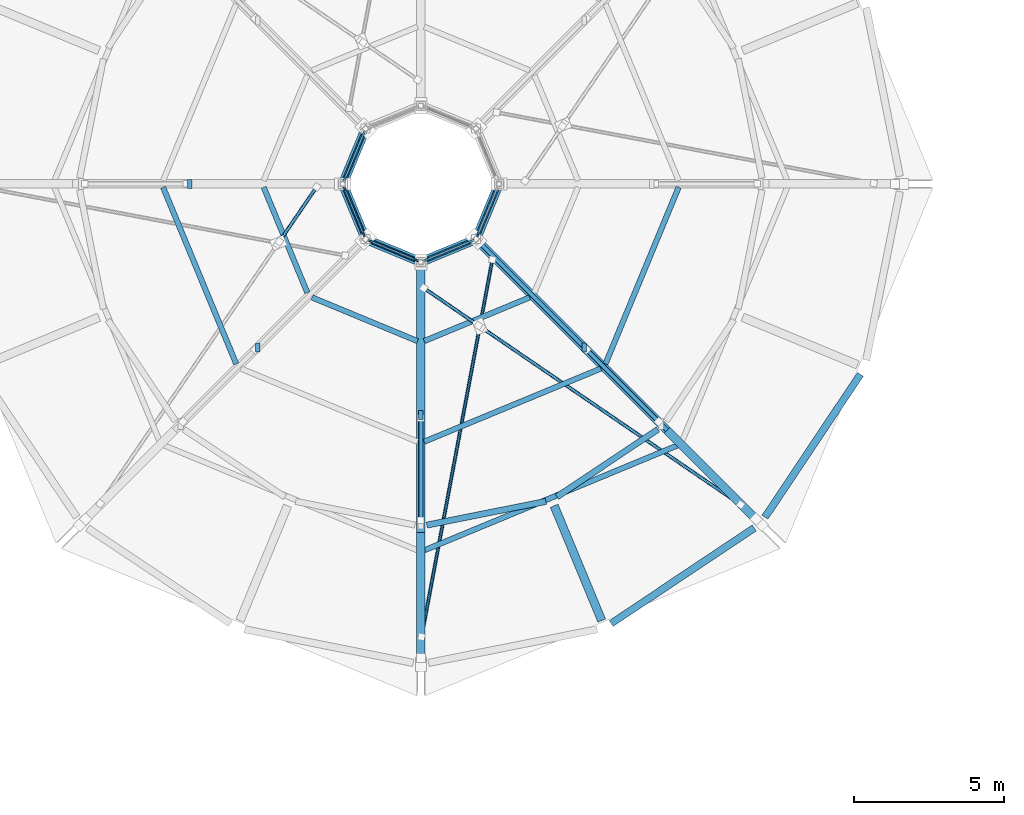
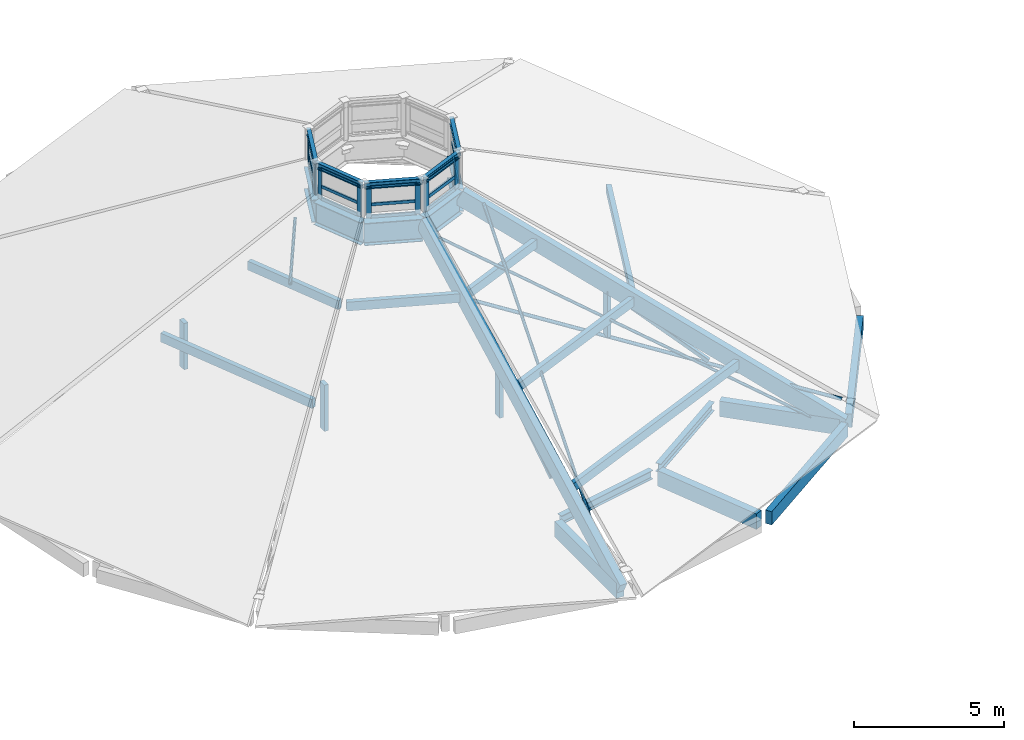
# One storey, part 31 of 66: 43 members, 17 beams, 5 elements without a shape of their own.
"""IFC4 building model written with IfcOpenShell, lengths in metres."""

from ifc_helpers import new_model, si_unit, direction, frame, origin, origin_2d, place, context, subcontext, project, spatial, rectangle, hollow_rectangle, hollow_circle, i_section, extrude, material, layer, layer_set, material_profile, profile_set, type_object, element, aggregate, save


model = new_model("IFC4")

# Units and contexts
model_context = context("Model", 3, precision=1e-05, world=origin(), true_north=direction((0.0, 1.0)))
body_context = subcontext(model_context, "Body", "Model", "MODEL_VIEW")
ifc_project = project(units=[si_unit("LENGTHUNIT", "METRE"), si_unit("AREAUNIT", "SQUARE_METRE"), si_unit("VOLUMEUNIT", "CUBIC_METRE"), si_unit("PLANEANGLEUNIT", "RADIAN"), si_unit("MASSUNIT", "GRAM", prefix="KILO")], contexts=[model_context])

# Site, building, storey
site_placement = place(None, origin())
site = spatial("IfcSite", under=ifc_project, at=site_placement, CompositionType="ELEMENT")
building_placement = place(site_placement, origin())
building = spatial("IfcBuilding", under=site, at=building_placement, Name="Caldaven Crescent School", CompositionType="ELEMENT")
storey_placement = place(building_placement, frame((0.0, 0.0, 8.159912109375)))
storey = spatial("IfcBuildingStorey", under=building, at=storey_placement, Name="L02", CompositionType="ELEMENT", Elevation=8.159912109375)

# Beams
ifc_material_1 = material(Name="Glulam MLE24h (GL28h)", Category="wood")
ifc_material_profile_1 = material_profile(ifc_material_1, rectangle(XDim=0.280029296875, YDim=0.6298828125, at=origin_2d()), Name="MLE 280x630")
ifc_profile_set_1 = profile_set([ifc_material_profile_1], Name="Glulam MLE24h (GL28h)")
beam_type_1 = type_object("IfcBeamType", Name="BM-GL63", PredefinedType="BEAM", material=ifc_profile_set_1)
for number, where, z_axis, x_axis, name in (
    (1, (23.5, 86.89990234375, -0.534912109375), (0.0, -1.0, 0.0), (1.0, 0.0, 0.0), "BM-V2-L02-0385"),
    (2, (27.939208984375, 87.782958984375, -0.534912109375), (0.382679925467, -0.923880985108, 0.0), (0.923880985108, 0.382679925467, 0.0), "BM-V2-L02-0388"),
):
    element("IfcBeam", number, at=place(storey_placement, frame(where, z_axis=z_axis, x_axis=x_axis)), inside=storey, type_object=beam_type_1, Name=name, PredefinedType="BEAM", context=body_context, shape_type="SweptSolid", body=[
        extrude(rectangle(XDim=0.280029296875, YDim=0.6298828125, at=origin_2d()), origin(), (0.0, 0.0, 1.0), 4.139892578125),
    ])
beam_1_placement = place(storey_placement, frame((31.702392578125, 90.297607421875, -0.534912109375), z_axis=(0.707106781187, -0.707106781187, 0.0), x_axis=(0.707106781187, 0.707106781187, 0.0)))
element("IfcBeam", 3, at=beam_1_placement, inside=storey, type_object=beam_type_1, Name="BM-V2-L02-0391", PredefinedType="BEAM", context=body_context, shape_type="SweptSolid", body=[
    extrude(rectangle(XDim=0.280029296875, YDim=0.6298828125, at=origin_2d()), origin(), (0.0, 0.0, 1.0), 4.14013671875),
])
ifc_material_2 = material(Name="Steel ASTM A572 Grade 50", Category="steel")
ifc_material_profile_2 = material_profile(ifc_material_2, i_section(OverallWidth=0.14599609375, OverallDepth=0.258056640625, WebThickness=0.006103515625, FlangeThickness=0.009033203125, FilletRadius=0.011962890625, at=origin_2d()), Name="W250x33")
ifc_profile_set_2 = profile_set([ifc_material_profile_2], Name="Steel ASTM A572 Grade 50")
beam_type_2 = type_object("IfcBeamType", Name="BM-W25", PredefinedType="BEAM", material=ifc_profile_set_2)
for number, where, z_axis, x_axis, name in (
    (4, (21.65380859375, 100.320068359375, 8.12109375), (-0.382631933277, -0.923900862451, 0.0), (0.923900862451, -0.382631933277, 0.0), "LRNG-V2-L02-0404"),
    (5, (20.90771484375, 98.4814453125, 8.12109375), (0.382631933277, -0.923900862451, 0.0), (0.923900862451, 0.382631933277, 0.0), "LRNG-V2-L02-0406"),
    (6, (21.679931640625, 96.65380859375, 8.12109375), (0.923900862451, -0.382631933277, 0.0), (0.382631933277, 0.923900862451, 0.0), "LRNG-V2-L02-0408"),
    (7, (23.5185546875, 95.90771484375, 8.12109375), (0.923900862451, 0.382631933277, 0.0), (-0.382631933277, 0.923900862451, 0.0), "LRNG-V2-L02-0410"),
    (8, (25.34619140625, 96.679931640625, 8.12109375), (0.382631933277, 0.923900862451, 0.0), (-0.923900862451, 0.382631933277, 0.0), "LRNG-V2-L02-0412"),
):
    element("IfcBeam", number, at=place(storey_placement, frame(where, z_axis=z_axis, x_axis=x_axis)), inside=storey, type_object=beam_type_2, Name=name, PredefinedType="BEAM", context=body_context, shape_type="SweptSolid", body=[
        extrude(i_section(OverallWidth=0.14599609375, OverallDepth=0.258056640625, WebThickness=0.006103515625, FlangeThickness=0.009033203125, FilletRadius=0.011962890625, at=origin_2d()), origin(), (0.0, 0.0, 1.0), 1.949951171875),
    ])
ifc_material_profile_3 = material_profile(ifc_material_2, i_section(OverallWidth=0.205078125, OverallDepth=0.35400390625, WebThickness=0.009521484375, FlangeThickness=0.016845703125, FilletRadius=0.014892578125, at=origin_2d()), Name="W360x79")
ifc_profile_set_3 = profile_set([ifc_material_profile_3], Name="Steel ASTM A572 Grade 50")
beam_type_3 = type_object("IfcBeamType", Name="BM-W36", PredefinedType="BEAM", material=ifc_profile_set_3)
beam_2_placement = place(storey_placement, frame((23.696044921875, 87.138916015625, -0.39697265625), z_axis=(0.980784262971, 0.195095436925, 0.0), x_axis=(-0.195095436925, 0.980784262971, 0.0)))
element("IfcBeam", 9, at=beam_2_placement, inside=storey, type_object=beam_type_3, Name="BM-V2-L02-0386", PredefinedType="BEAM", context=body_context, shape_type="SweptSolid", body=[
    extrude(i_section(OverallWidth=0.205078125, OverallDepth=0.35400390625, WebThickness=0.009521484375, FlangeThickness=0.016845703125, FilletRadius=0.014892578125, at=origin_2d()), origin(), (0.0, 0.0, 1.0), 4.04833984375),
])
beam_3_placement = place(storey_placement, frame((28.02880859375, 88.078857421875, -0.39697265625), z_axis=(0.831474595704, 0.55556277476, 0.0), x_axis=(-0.55556277476, 0.831474595704, 0.0)))
element("IfcBeam", 10, at=beam_3_placement, inside=storey, type_object=beam_type_3, Name="BM-V2-L02-0389", PredefinedType="BEAM", context=body_context, shape_type="SweptSolid", body=[
    extrude(i_section(OverallWidth=0.205078125, OverallDepth=0.35400390625, WebThickness=0.009521484375, FlangeThickness=0.016845703125, FilletRadius=0.014892578125, at=origin_2d()), origin(), (0.0, 0.0, 1.0), 4.048095703125),
])
ifc_material_profile_4 = material_profile(ifc_material_2, i_section(OverallWidth=0.303955078125, OverallDepth=0.910888671875, WebThickness=0.015869140625, FlangeThickness=0.02392578125, FilletRadius=0.02197265625, at=origin_2d()), Name="W920x223")
ifc_profile_set_4 = profile_set([ifc_material_profile_4], Name="Steel ASTM A572 Grade 50")
beam_type_4 = type_object("IfcBeamType", Name="BM-W92", PredefinedType="BEAM", material=ifc_profile_set_4)
for number, where, z_axis, x_axis, name in (
    (11, (21.65771484375, 100.329345703125, 6.20458984375), (-0.382687440576, -0.923877872246, 0.0), (0.923877872246, -0.382687440576, 0.0), "RING-V2-L02-0403"),
    (12, (20.90380859375, 98.49072265625, 6.20458984375), (0.382687440576, -0.923877872246, 0.0), (0.923877872246, 0.382687440576, 0.0), "RING-V2-L02-0405"),
    (13, (21.670654296875, 96.65771484375, 6.20458984375), (0.923877872246, -0.382687440576, 0.0), (0.382687440576, 0.923877872246, 0.0), "RING-V2-L02-0407"),
    (14, (23.50927734375, 95.90380859375, 6.20458984375), (0.923877872246, 0.382687440576, 0.0), (-0.382687440576, 0.923877872246, 0.0), "RING-V2-L02-0409"),
    (15, (25.34228515625, 96.670654296875, 6.20458984375), (0.382687440576, 0.923877872246, 0.0), (-0.923877872246, 0.382687440576, 0.0), "RING-V2-L02-0411"),
):
    element("IfcBeam", number, at=place(storey_placement, frame(where, z_axis=z_axis, x_axis=x_axis)), inside=storey, type_object=beam_type_4, Name=name, PredefinedType="BEAM", context=body_context, shape_type="SweptSolid", body=[
        extrude(i_section(OverallWidth=0.303955078125, OverallDepth=0.910888671875, WebThickness=0.015869140625, FlangeThickness=0.02392578125, FilletRadius=0.02197265625, at=origin_2d()), origin(), (0.0, 0.0, 1.0), 1.969970703125),
    ])

# Members
ifc_material_profile_5 = material_profile(ifc_material_2, hollow_circle(Radius=0.05712890625, WallThickness=0.008056640625, at=origin_2d()), Name="CHS 114.3x8.0")
ifc_profile_set_5 = profile_set([ifc_material_profile_5], Name="Steel ASTM A572 Grade 50")
member_type_1 = type_object("IfcMemberType", Name="BR-CH11", PredefinedType="BRACE", material=ifc_profile_set_5)
member_1_placement = place(storey_placement, frame((18.7890625, 96.582763671875, 5.14208984375), z_axis=(0.498106201549, 0.728446028426, 0.470379204099), x_axis=(-0.825467899291, 0.564449065231, 0.0)))
element("IfcMember", 16, at=member_1_placement, inside=storey, type_object=member_type_1, Name="RBR-V2-04-X2B", PredefinedType="BRACE", context=body_context, shape_type="SweptSolid", body=[
    extrude(hollow_circle(Radius=0.05712890625, WallThickness=0.008056640625, at=origin_2d()), origin(), (0.0, 0.0, 1.0), 2.491943359375),
])
member_2_placement = place(storey_placement, frame((23.522705078125, 83.42138671875, -0.494140625), z_axis=(0.16295821074, 0.867283130276, 0.470387705506), x_axis=(-0.98280178904, 0.184663595385, 0.0)))
element("IfcMember", 17, at=member_2_placement, inside=storey, type_object=member_type_1, Name="RBR-V2-06-X1", PredefinedType="BRACE", context=body_context, shape_type="SweptSolid", body=[
    extrude(hollow_circle(Radius=0.05712890625, WallThickness=0.008056640625, at=origin_2d()), origin(), (0.0, 0.0, 1.0), 14.473876953125),
])
member_3_placement = place(storey_placement, frame((34.14599609375, 87.82177734375, -0.494140625), z_axis=(-0.728494577084, 0.498029503468, 0.470385230248), x_axis=(-0.564364205983, -0.825525919039, 0.0)))
element("IfcMember", 18, at=member_3_placement, inside=storey, type_object=member_type_1, Name="RBR-V2-06-X2A", PredefinedType="BRACE", context=body_context, shape_type="SweptSolid", body=[
    extrude(hollow_circle(Radius=0.05712890625, WallThickness=0.008056640625, at=origin_2d()), origin(), (0.0, 0.0, 1.0), 11.851806640625),
])
member_4_placement = place(storey_placement, frame((25.417236328125, 93.7890625, 5.14208984375), z_axis=(-0.728446028426, 0.498106201549, 0.470379204099), x_axis=(-0.564449065231, -0.825467899291, 0.0)))
element("IfcMember", 19, at=member_4_placement, inside=storey, type_object=member_type_1, Name="RBR-V2-06-X2B", PredefinedType="BRACE", context=body_context, shape_type="SweptSolid", body=[
    extrude(hollow_circle(Radius=0.05712890625, WallThickness=0.008056640625, at=origin_2d()), origin(), (0.0, 0.0, 1.0), 2.491943359375),
])
ifc_material_profile_6 = material_profile(ifc_material_2, hollow_circle(Radius=0.06982421875, WallThickness=0.010009765625, at=origin_2d()), Name="CHS 139.7x10.0")
ifc_profile_set_6 = profile_set([ifc_material_profile_6], Name="Steel ASTM A572 Grade 50")
member_type_2 = type_object("IfcMemberType", Name="BR-CH14", PredefinedType="BRACE", material=ifc_profile_set_6)
member_5_placement = place(storey_placement, frame((34.659423828125, 87.340576171875, 0.529296875), z_axis=(-0.700811952879, 0.700811952879, 0.133136071004), x_axis=(-0.707106781187, -0.707106781187, 0.0)))
element("IfcMember", 20, at=member_5_placement, inside=storey, type_object=member_type_2, Name="TT-V2-07", PredefinedType="BRACE", context=body_context, shape_type="SweptSolid", body=[
    extrude(hollow_circle(Radius=0.06982421875, WallThickness=0.010009765625, at=origin_2d()), origin(), (0.0, 0.0, 1.0), 13.280029296875),
])
ifc_material_profile_7 = material_profile(ifc_material_1, rectangle(XDim=0.280029296875, YDim=0.6298828125, at=origin_2d()), Name="MLE 280x630")
ifc_profile_set_7 = profile_set([ifc_material_profile_7], Name="Glulam MLE24h (GL28h)")
member_type_3 = type_object("IfcMemberType", Name="CH-GL63", PredefinedType="CHORD", material=ifc_profile_set_7)
for number, where, z_axis, x_axis, name in (
    (21, (23.5, 82.67724609375, -0.46728515625), (0.0, 0.886348346323, 0.463019015777), (-1.0, 0.0, 0.0), "TC-V2-06"),
    (22, (34.6884765625, 87.3115234375, -0.46728515625), (-0.626742955756, 0.626742955756, 0.463018935703), (-0.707106781187, -0.707106781187, 0.0), "TC-V2-07"),
):
    element("IfcMember", number, at=place(storey_placement, frame(where, z_axis=z_axis, x_axis=x_axis)), inside=storey, type_object=member_type_3, Name=name, PredefinedType="CHORD", context=body_context, shape_type="SweptSolid", body=[
        extrude(rectangle(XDim=0.280029296875, YDim=0.6298828125, at=origin_2d()), origin(), (0.0, 0.0, 1.0), 14.898193359375),
    ])

# Curtain wall, members
ifc_material_3 = material(Name="Anodised aluminium AA 6063-T6 and low-E double glazing", Category="aluminium")
ifc_layer_1 = layer(ifc_material_3, 0.2099609375)
ifc_layer_set_1 = layer_set([ifc_layer_1], Name="Anodised aluminium AA 6063-T6 and low-E double glazing")
curtain_wall_type_1 = type_object("IfcCurtainWallType", Name="CW-SYS3", PredefinedType="NOTDEFINED", material=ifc_layer_set_1)
curtain_wall_1_placement = place(storey_placement, origin())
curtain_wall_1 = element("IfcCurtainWall", 23, at=curtain_wall_1_placement, inside=storey, type_object=curtain_wall_type_1, Name="CW-L02-077", PredefinedType="NOTDEFINED")
ifc_material_4 = material(Name="Anodised aluminium AA 6063-T6", Category="aluminium")
ifc_material_profile_8 = material_profile(ifc_material_4, rectangle(XDim=0.06005859375, YDim=0.14990234375, at=origin_2d()), Name="CWM 60x150")
ifc_profile_set_8 = profile_set([ifc_material_profile_8], Name="Anodised aluminium AA 6063-T6")
member_type_4 = type_object("IfcMemberType", Name="CWM-T1", PredefinedType="MULLION", material=ifc_profile_set_8)
member_6_placement = place(storey_placement, frame((20.965087890625, 98.343017578125, 6.800048828125), z_axis=(0.0, 0.0, 1.0), x_axis=(0.923879624255, 0.382683210876, 0.0)))
member_6 = element("IfcMember", 24, at=member_6_placement, type_object=member_type_4, Name="CW3 mullion 1", PredefinedType="MULLION", context=body_context, shape_type="SweptSolid", body=[
    extrude(rectangle(XDim=0.06005859375, YDim=0.14990234375, at=origin_2d()), origin(), (0.0, 0.0, 1.0), 1.25),
])
member_7_placement = place(storey_placement, frame((21.596435546875, 96.818603515625, 6.800048828125), z_axis=(0.0, 0.0, 1.0), x_axis=(0.923879624255, 0.382683210876, 0.0)))
member_7 = element("IfcMember", 25, at=member_7_placement, type_object=member_type_4, Name="CW3 mullion 2", PredefinedType="MULLION", context=body_context, shape_type="SweptSolid", body=[
    extrude(rectangle(XDim=0.06005859375, YDim=0.14990234375, at=origin_2d()), origin(), (0.0, 0.0, 1.0), 1.25),
])

# Curtain wall, member
ifc_layer_2 = layer(ifc_material_3, 0.18994140625)
ifc_layer_set_2 = layer_set([ifc_layer_2], Name="Anodised aluminium AA 6063-T6 and low-E double glazing")
curtain_wall_type_2 = type_object("IfcCurtainWallType", Name="CW-SYS2", PredefinedType="NOTDEFINED", material=ifc_layer_set_2)
curtain_wall_2_placement = place(storey_placement, origin())
curtain_wall_2 = element("IfcCurtainWall", 26, at=curtain_wall_2_placement, inside=storey, type_object=curtain_wall_type_2, Name="CW-L02-080", PredefinedType="NOTDEFINED")
member_8_placement = place(storey_placement, frame((25.403564453125, 96.818603515625, 6.800048828125), z_axis=(0.0, 0.0, 1.0), x_axis=(-0.923879624255, 0.382683210876, 0.0)))
member_8 = element("IfcMember", 27, at=member_8_placement, type_object=member_type_4, Name="CW2 mullion 1", PredefinedType="MULLION", context=body_context, shape_type="SweptSolid", body=[
    extrude(rectangle(XDim=0.06005859375, YDim=0.14990234375, at=origin_2d()), origin(), (0.0, 0.0, 1.0), 1.25),
])

# Curtain wall, members
ifc_layer_3 = layer(ifc_material_3, 0.22998046875)
ifc_layer_set_3 = layer_set([ifc_layer_3], Name="Anodised aluminium AA 6063-T6 and low-E double glazing")
curtain_wall_type_3 = type_object("IfcCurtainWallType", Name="CW-SYS4", PredefinedType="NOTDEFINED", material=ifc_layer_set_3)
curtain_wall_3_placement = place(storey_placement, origin())
curtain_wall_3 = element("IfcCurtainWall", 28, at=curtain_wall_3_placement, inside=storey, type_object=curtain_wall_type_3, Name="CW-L02-078", PredefinedType="NOTDEFINED")
ifc_material_profile_9 = material_profile(ifc_material_4, rectangle(XDim=0.06494140625, YDim=0.179931640625, at=origin_2d()), Name="CWM 65x180")
ifc_profile_set_9 = profile_set([ifc_material_profile_9], Name="Anodised aluminium AA 6063-T6")
member_type_5 = type_object("IfcMemberType", Name="CWM-T2", PredefinedType="MULLION", material=ifc_profile_set_9)
member_9_placement = place(storey_placement, frame((21.82080078125, 96.595458984375, 6.800048828125), z_axis=(0.0, 0.0, 1.0), x_axis=(0.382683210876, 0.923879624255, 0.0)))
member_9 = element("IfcMember", 29, at=member_9_placement, type_object=member_type_5, Name="CW4 mullion 1", PredefinedType="MULLION", context=body_context, shape_type="SweptSolid", body=[
    extrude(rectangle(XDim=0.06494140625, YDim=0.179931640625, at=origin_2d()), origin(), (0.0, 0.0, 1.0), 1.25),
])
member_10_placement = place(storey_placement, frame((23.340576171875, 95.966064453125, 6.800048828125), z_axis=(0.0, 0.0, 1.0), x_axis=(0.382683210876, 0.923879624255, 0.0)))
member_10 = element("IfcMember", 30, at=member_10_placement, type_object=member_type_5, Name="CW4 mullion 2", PredefinedType="MULLION", context=body_context, shape_type="SweptSolid", body=[
    extrude(rectangle(XDim=0.06494140625, YDim=0.179931640625, at=origin_2d()), origin(), (0.0, 0.0, 1.0), 1.25),
])

curtain_wall_4_placement = place(storey_placement, origin())
curtain_wall_4 = element("IfcCurtainWall", 31, at=curtain_wall_4_placement, inside=storey, type_object=curtain_wall_type_2, Name="CW-L02-076", PredefinedType="NOTDEFINED")
ifc_material_profile_10 = material_profile(ifc_material_4, rectangle(XDim=0.070068359375, YDim=0.2099609375, at=origin_2d()), Name="CWM 70x210")
ifc_profile_set_10 = profile_set([ifc_material_profile_10], Name="Anodised aluminium AA 6063-T6")
member_type_6 = type_object("IfcMemberType", Name="CWM-T3", PredefinedType="MULLION", material=ifc_profile_set_10)
member_11_placement = place(storey_placement, frame((21.594482421875, 100.1767578125, 6.800048828125), z_axis=(0.0, 0.0, 1.0), x_axis=(0.923879624255, -0.382683210876, 0.0)))
member_11 = element("IfcMember", 32, at=member_11_placement, type_object=member_type_6, Name="CW2 mullion 1", PredefinedType="MULLION", context=body_context, shape_type="SweptSolid", body=[
    extrude(rectangle(XDim=0.070068359375, YDim=0.2099609375, at=origin_2d()), origin(), (0.0, 0.0, 1.0), 1.25),
])
member_12_placement = place(storey_placement, frame((20.967041015625, 98.66162109375, 6.800048828125), z_axis=(0.0, 0.0, 1.0), x_axis=(0.923879624255, -0.382683210876, 0.0)))
member_12 = element("IfcMember", 33, at=member_12_placement, type_object=member_type_6, Name="CW2 mullion 2", PredefinedType="MULLION", context=body_context, shape_type="SweptSolid", body=[
    extrude(rectangle(XDim=0.070068359375, YDim=0.2099609375, at=origin_2d()), origin(), (0.0, 0.0, 1.0), 1.25),
])

ifc_layer_4 = layer(ifc_material_3, 0.169921875)
ifc_layer_set_4 = layer_set([ifc_layer_4], Name="Anodised aluminium AA 6063-T6 and low-E double glazing")
curtain_wall_type_4 = type_object("IfcCurtainWallType", Name="CW-SYS1", PredefinedType="NOTDEFINED", material=ifc_layer_set_4)
curtain_wall_5_placement = place(storey_placement, origin())
curtain_wall_5 = element("IfcCurtainWall", 34, at=curtain_wall_5_placement, inside=storey, type_object=curtain_wall_type_4, Name="CW-L02-079", PredefinedType="NOTDEFINED")
member_13_placement = place(storey_placement, frame((23.66162109375, 95.967041015625, 6.800048828125), z_axis=(0.0, 0.0, 1.0), x_axis=(-0.382683210876, 0.923879624255, 0.0)))
member_13 = element("IfcMember", 35, at=member_13_placement, type_object=member_type_6, Name="CW1 mullion 1", PredefinedType="MULLION", context=body_context, shape_type="SweptSolid", body=[
    extrude(rectangle(XDim=0.070068359375, YDim=0.2099609375, at=origin_2d()), origin(), (0.0, 0.0, 1.0), 1.25),
])
member_14_placement = place(storey_placement, frame((25.1767578125, 96.594482421875, 6.800048828125), z_axis=(0.0, 0.0, 1.0), x_axis=(-0.382683210876, 0.923879624255, 0.0)))
member_14 = element("IfcMember", 36, at=member_14_placement, type_object=member_type_6, Name="CW1 mullion 2", PredefinedType="MULLION", context=body_context, shape_type="SweptSolid", body=[
    extrude(rectangle(XDim=0.070068359375, YDim=0.2099609375, at=origin_2d()), origin(), (0.0, 0.0, 1.0), 1.25),
])

# Member
ifc_material_profile_11 = material_profile(ifc_material_4, rectangle(XDim=0.06005859375, YDim=0.1201171875, at=origin_2d()), Name="CWT 60x120")
ifc_profile_set_11 = profile_set([ifc_material_profile_11], Name="Anodised aluminium AA 6063-T6")
member_type_7 = type_object("IfcMemberType", Name="CWT-T1", PredefinedType="USERDEFINED", material=ifc_profile_set_11)
member_15_placement = place(storey_placement, frame((20.9765625, 98.315185546875, 6.830078125), z_axis=(0.382641098554, -0.923897066614, 0.0), x_axis=(0.923897066614, 0.382641098554, 0.0)))
member_15 = element("IfcMember", 37, at=member_15_placement, type_object=member_type_7, Name="CW3 transom 1.1", ObjectType="TRANSOM", PredefinedType="USERDEFINED", context=body_context, shape_type="SweptSolid", body=[
    extrude(rectangle(XDim=0.06005859375, YDim=0.1201171875, at=origin_2d()), origin(), (0.0, 0.0, 1.0), 1.590087890625),
])

member_16_placement = place(storey_placement, frame((20.9765625, 98.315185546875, 7.3251953125), z_axis=(0.382641098554, -0.923897066614, 0.0), x_axis=(0.923897066614, 0.382641098554, 0.0)))
member_16 = element("IfcMember", 38, at=member_16_placement, type_object=member_type_7, Name="CW3 transom 1.2", ObjectType="TRANSOM", PredefinedType="USERDEFINED", context=body_context, shape_type="SweptSolid", body=[
    extrude(rectangle(XDim=0.06005859375, YDim=0.1201171875, at=origin_2d()), origin(), (0.0, 0.0, 1.0), 1.590087890625),
])

member_17_placement = place(storey_placement, frame((20.9765625, 98.315185546875, 8.02001953125), z_axis=(0.382641098554, -0.923897066614, 0.0), x_axis=(0.923897066614, 0.382641098554, 0.0)))
member_17 = element("IfcMember", 39, at=member_17_placement, type_object=member_type_7, Name="CW3 transom 1.3", ObjectType="TRANSOM", PredefinedType="USERDEFINED", context=body_context, shape_type="SweptSolid", body=[
    extrude(rectangle(XDim=0.06005859375, YDim=0.1201171875, at=origin_2d()), origin(), (0.0, 0.0, 1.0), 1.590087890625),
])

aggregate(curtain_wall_1, [member_6, member_7, member_15, member_16, member_17])

member_18_placement = place(storey_placement, frame((21.850830078125, 96.5830078125, 6.830078125), z_axis=(0.923911374437, -0.38260655011, 0.0), x_axis=(0.38260655011, 0.923911374437, 0.0)))
member_18 = element("IfcMember", 40, at=member_18_placement, type_object=member_type_7, Name="CW4 transom 1.1", ObjectType="TRANSOM", PredefinedType="USERDEFINED", context=body_context, shape_type="SweptSolid", body=[
    extrude(rectangle(XDim=0.06005859375, YDim=0.1201171875, at=origin_2d()), origin(), (0.0, 0.0, 1.0), 1.579833984375),
])

member_19_placement = place(storey_placement, frame((21.850830078125, 96.5830078125, 7.3251953125), z_axis=(0.923911374437, -0.38260655011, 0.0), x_axis=(0.38260655011, 0.923911374437, 0.0)))
member_19 = element("IfcMember", 41, at=member_19_placement, type_object=member_type_7, Name="CW4 transom 1.2", ObjectType="TRANSOM", PredefinedType="USERDEFINED", context=body_context, shape_type="SweptSolid", body=[
    extrude(rectangle(XDim=0.06005859375, YDim=0.1201171875, at=origin_2d()), origin(), (0.0, 0.0, 1.0), 1.579833984375),
])

member_20_placement = place(storey_placement, frame((21.850830078125, 96.5830078125, 8.02001953125), z_axis=(0.923911374437, -0.38260655011, 0.0), x_axis=(0.38260655011, 0.923911374437, 0.0)))
member_20 = element("IfcMember", 42, at=member_20_placement, type_object=member_type_7, Name="CW4 transom 1.3", ObjectType="TRANSOM", PredefinedType="USERDEFINED", context=body_context, shape_type="SweptSolid", body=[
    extrude(rectangle(XDim=0.06005859375, YDim=0.1201171875, at=origin_2d()), origin(), (0.0, 0.0, 1.0), 1.579833984375),
])

aggregate(curtain_wall_3, [member_9, member_10, member_18, member_19, member_20])

ifc_material_profile_12 = material_profile(ifc_material_4, rectangle(XDim=0.06494140625, YDim=0.139892578125, at=origin_2d()), Name="CWT 65x140")
ifc_profile_set_12 = profile_set([ifc_material_profile_12], Name="Anodised aluminium AA 6063-T6")
member_type_8 = type_object("IfcMemberType", Name="CWT-T2", PredefinedType="USERDEFINED", material=ifc_profile_set_12)
member_21_placement = place(storey_placement, frame((23.694091796875, 95.98046875, 6.83251953125), z_axis=(0.923925864427, 0.382571558069, 0.0), x_axis=(-0.382571558069, 0.923925864427, 0.0)))
member_21 = element("IfcMember", 43, at=member_21_placement, type_object=member_type_8, Name="CW1 transom 1.1", ObjectType="TRANSOM", PredefinedType="USERDEFINED", context=body_context, shape_type="SweptSolid", body=[
    extrude(rectangle(XDim=0.06494140625, YDim=0.139892578125, at=origin_2d()), origin(), (0.0, 0.0, 1.0), 1.56982421875),
])

member_22_placement = place(storey_placement, frame((23.694091796875, 95.98046875, 7.3251953125), z_axis=(0.923925864427, 0.382571558069, 0.0), x_axis=(-0.382571558069, 0.923925864427, 0.0)))
member_22 = element("IfcMember", 44, at=member_22_placement, type_object=member_type_8, Name="CW1 transom 1.2", ObjectType="TRANSOM", PredefinedType="USERDEFINED", context=body_context, shape_type="SweptSolid", body=[
    extrude(rectangle(XDim=0.06494140625, YDim=0.139892578125, at=origin_2d()), origin(), (0.0, 0.0, 1.0), 1.56982421875),
])

member_23_placement = place(storey_placement, frame((23.694091796875, 95.98046875, 8.017578125), z_axis=(0.923925864427, 0.382571558069, 0.0), x_axis=(-0.382571558069, 0.923925864427, 0.0)))
member_23 = element("IfcMember", 45, at=member_23_placement, type_object=member_type_8, Name="CW1 transom 1.3", ObjectType="TRANSOM", PredefinedType="USERDEFINED", context=body_context, shape_type="SweptSolid", body=[
    extrude(rectangle(XDim=0.06494140625, YDim=0.139892578125, at=origin_2d()), origin(), (0.0, 0.0, 1.0), 1.56982421875),
])

aggregate(curtain_wall_5, [member_13, member_14, member_21, member_22, member_23])

member_24_placement = place(storey_placement, frame((25.4150390625, 96.84619140625, 6.83251953125), z_axis=(0.382641098554, 0.923897066614, 0.0), x_axis=(-0.923897066614, 0.382641098554, 0.0)))
member_24 = element("IfcMember", 46, at=member_24_placement, type_object=member_type_8, Name="CW2 transom 1.1", ObjectType="TRANSOM", PredefinedType="USERDEFINED", context=body_context, shape_type="SweptSolid", body=[
    extrude(rectangle(XDim=0.06494140625, YDim=0.139892578125, at=origin_2d()), origin(), (0.0, 0.0, 1.0), 1.590087890625),
])

member_25_placement = place(storey_placement, frame((25.4150390625, 96.84619140625, 7.3251953125), z_axis=(0.382641098554, 0.923897066614, 0.0), x_axis=(-0.923897066614, 0.382641098554, 0.0)))
member_25 = element("IfcMember", 47, at=member_25_placement, type_object=member_type_8, Name="CW2 transom 1.2", ObjectType="TRANSOM", PredefinedType="USERDEFINED", context=body_context, shape_type="SweptSolid", body=[
    extrude(rectangle(XDim=0.06494140625, YDim=0.139892578125, at=origin_2d()), origin(), (0.0, 0.0, 1.0), 1.590087890625),
])

aggregate(curtain_wall_2, [member_8, member_24, member_25])

ifc_material_profile_13 = material_profile(ifc_material_4, rectangle(XDim=0.070068359375, YDim=0.159912109375, at=origin_2d()), Name="CWT 70x160")
ifc_profile_set_13 = profile_set([ifc_material_profile_13], Name="Anodised aluminium AA 6063-T6")
member_type_9 = type_object("IfcMemberType", Name="CWT-T3", PredefinedType="USERDEFINED", material=ifc_profile_set_13)
member_26_placement = place(storey_placement, frame((21.5810546875, 100.14453125, 6.835205078125), z_axis=(-0.382571558069, -0.923925864427, 0.0), x_axis=(0.923925864427, -0.382571558069, 0.0)))
member_26 = element("IfcMember", 48, at=member_26_placement, type_object=member_type_9, Name="CW2 transom 1.1", ObjectType="TRANSOM", PredefinedType="USERDEFINED", context=body_context, shape_type="SweptSolid", body=[
    extrude(rectangle(XDim=0.070068359375, YDim=0.159912109375, at=origin_2d()), origin(), (0.0, 0.0, 1.0), 1.56982421875),
])

member_27_placement = place(storey_placement, frame((21.5810546875, 100.14453125, 7.3251953125), z_axis=(-0.382571558069, -0.923925864427, 0.0), x_axis=(0.923925864427, -0.382571558069, 0.0)))
member_27 = element("IfcMember", 49, at=member_27_placement, type_object=member_type_9, Name="CW2 transom 1.2", ObjectType="TRANSOM", PredefinedType="USERDEFINED", context=body_context, shape_type="SweptSolid", body=[
    extrude(rectangle(XDim=0.070068359375, YDim=0.159912109375, at=origin_2d()), origin(), (0.0, 0.0, 1.0), 1.56982421875),
])

member_28_placement = place(storey_placement, frame((21.5810546875, 100.14453125, 8.01513671875), z_axis=(-0.382571558069, -0.923925864427, 0.0), x_axis=(0.923925864427, -0.382571558069, 0.0)))
member_28 = element("IfcMember", 50, at=member_28_placement, type_object=member_type_9, Name="CW2 transom 1.3", ObjectType="TRANSOM", PredefinedType="USERDEFINED", context=body_context, shape_type="SweptSolid", body=[
    extrude(rectangle(XDim=0.070068359375, YDim=0.159912109375, at=origin_2d()), origin(), (0.0, 0.0, 1.0), 1.56982421875),
])

aggregate(curtain_wall_4, [member_11, member_12, member_26, member_27, member_28])

# Members
ifc_material_profile_14 = material_profile(ifc_material_1, rectangle(XDim=0.179931640625, YDim=0.360107421875, at=origin_2d()), Name="MLE 180x360")
ifc_profile_set_14 = profile_set([ifc_material_profile_14], Name="Glulam MLE24h (GL28h)")
member_type_10 = type_object("IfcMemberType", Name="PR-GL36", PredefinedType="PURLIN", material=ifc_profile_set_14)
member_29_placement = place(storey_placement, frame((14.916015625, 98.38916015625, 3.2900390625), z_axis=(0.382678126137, -0.923881730405, 0.0), x_axis=(0.923881730405, 0.382678126137, 0.0)))
element("IfcMember", 51, at=member_29_placement, inside=storey, type_object=member_type_10, Name="PUR-V2-04-1", PredefinedType="PURLIN", context=body_context, shape_type="SweptSolid", body=[
    extrude(rectangle(XDim=0.179931640625, YDim=0.360107421875, at=origin_2d()), origin(), (0.0, 0.0, 1.0), 6.365234375),
])
for number, where, z_axis, x_axis, name in (
    (52, (18.265869140625, 98.38916015625, 5.0400390625), (0.382680807349, -0.923880619824, 0.0), (0.923880619824, 0.382680807349, 0.0), "PUR-V2-04-2"),
    (53, (19.87744140625, 94.720458984375, 5.0400390625), (0.923880619824, -0.382680807349, 0.0), (0.382680807349, 0.923880619824, 0.0), "PUR-V2-05-2"),
):
    element("IfcMember", number, at=place(storey_placement, frame(where, z_axis=z_axis, x_axis=x_axis)), inside=storey, type_object=member_type_10, Name=name, PredefinedType="PURLIN", context=body_context, shape_type="SweptSolid", body=[
        extrude(rectangle(XDim=0.179931640625, YDim=0.360107421875, at=origin_2d()), origin(), (0.0, 0.0, 1.0), 3.801025390625),
    ])
member_30_placement = place(storey_placement, frame((23.61083984375, 86.2978515625, 1.400146484375), z_axis=(0.923876754235, 0.38269013965, 0.0), x_axis=(-0.38269013965, 0.923876754235, 0.0)))
element("IfcMember", 54, at=member_30_placement, inside=storey, type_object=member_type_10, Name="PUR-V2-06-0", PredefinedType="PURLIN", context=body_context, shape_type="SweptSolid", body=[
    extrude(rectangle(XDim=0.179931640625, YDim=0.360107421875, at=origin_2d()), origin(), (0.0, 0.0, 1.0), 9.13427734375),
])
member_31_placement = place(storey_placement, frame((23.61083984375, 89.916015625, 3.2900390625), z_axis=(0.923881730405, 0.382678126137, 0.0), x_axis=(-0.382678126137, 0.923881730405, 0.0)))
element("IfcMember", 55, at=member_31_placement, inside=storey, type_object=member_type_10, Name="PUR-V2-06-1", PredefinedType="PURLIN", context=body_context, shape_type="SweptSolid", body=[
    extrude(rectangle(XDim=0.179931640625, YDim=0.360107421875, at=origin_2d()), origin(), (0.0, 0.0, 1.0), 6.365234375),
])
member_32_placement = place(storey_placement, frame((23.61083984375, 93.265869140625, 5.0400390625), z_axis=(0.923880619824, 0.382680807349, 0.0), x_axis=(-0.382680807349, 0.923880619824, 0.0)))
element("IfcMember", 56, at=member_32_placement, inside=storey, type_object=member_type_10, Name="PUR-V2-06-2", PredefinedType="PURLIN", context=body_context, shape_type="SweptSolid", body=[
    extrude(rectangle(XDim=0.179931640625, YDim=0.360107421875, at=origin_2d()), origin(), (0.0, 0.0, 1.0), 3.801025390625),
])
member_33_placement = place(storey_placement, frame((29.648193359375, 92.508544921875, 3.2900390625), z_axis=(0.382678126137, 0.923881730405, 0.0), x_axis=(-0.923881730405, 0.382678126137, 0.0)))
element("IfcMember", 57, at=member_33_placement, inside=storey, type_object=member_type_10, Name="PUR-V2-07-1", PredefinedType="PURLIN", context=body_context, shape_type="SweptSolid", body=[
    extrude(rectangle(XDim=0.179931640625, YDim=0.360107421875, at=origin_2d()), origin(), (0.0, 0.0, 1.0), 6.365234375),
])

# Beams
ifc_material_profile_15 = material_profile(ifc_material_1, rectangle(XDim=0.239990234375, YDim=0.5400390625, at=origin_2d()), Name="MLE 240x540")
ifc_profile_set_15 = profile_set([ifc_material_profile_15], Name="Glulam MLE24h (GL28h)")
beam_type_5 = type_object("IfcBeamType", Name="SP-GL54", PredefinedType="SPANDREL", material=ifc_profile_set_15)
for number, where, z_axis, x_axis, name in (
    (58, (29.839111328125, 83.8623046875, -0.489990234375), (0.831465703483, 0.555576082938, 0.0), (-0.555576082938, 0.831465703483, 0.0), "BM-V2-L02-0390"),
    (59, (34.958251953125, 87.402587890625, -0.489990234375), (0.555576082938, 0.831465703483, 0.0), (-0.831465703483, 0.555576082938, 0.0), "BM-V2-L02-0393"),
):
    element("IfcBeam", number, at=place(storey_placement, frame(where, z_axis=z_axis, x_axis=x_axis)), inside=storey, type_object=beam_type_5, Name=name, PredefinedType="SPANDREL", context=body_context, shape_type="SweptSolid", body=[
        extrude(rectangle(XDim=0.239990234375, YDim=0.5400390625, at=origin_2d()), origin(), (0.0, 0.0, 1.0), 5.722900390625),
    ])

# Members
ifc_material_profile_16 = material_profile(ifc_material_1, rectangle(XDim=0.14990234375, YDim=0.300048828125, at=origin_2d()), Name="MLE 150x300")
ifc_profile_set_16 = profile_set([ifc_material_profile_16], Name="Glulam MLE24h (GL28h)")
member_type_11 = type_object("IfcMemberType", Name="ST-GL30", PredefinedType="STRUT", material=ifc_profile_set_16)
for number, where, z_axis, x_axis, name in (
    (60, (15.80810546875, 98.5, 1.656005859375), (0.0, 0.0, 1.0), (1.0, 0.0, 0.0), "WS-V2-04-1"),
    (61, (18.06103515625, 93.06103515625, 1.656005859375), (0.0, 0.0, 1.0), (1.0, 0.0, 0.0), "WS-V2-05-1"),
    (62, (23.5, 90.80810546875, 1.656005859375), (0.0, 0.0, 1.0), (1.0, 0.0, 0.0), "WS-V2-06-1"),
    (63, (28.93896484375, 93.06103515625, 1.656005859375), (0.0, 0.0, 1.0), (1.0, 0.0, 0.0), "WS-V2-07-1"),
):
    element("IfcMember", number, at=place(storey_placement, frame(where, z_axis=z_axis, x_axis=x_axis)), inside=storey, type_object=member_type_11, Name=name, PredefinedType="STRUT", context=body_context, shape_type="SweptSolid", body=[
        extrude(rectangle(XDim=0.14990234375, YDim=0.300048828125, at=origin_2d()), origin(), (0.0, 0.0, 1.0), 1.884033203125),
    ])
ifc_material_profile_17 = material_profile(ifc_material_2, hollow_rectangle(XDim=0.14990234375, YDim=0.14990234375, WallThickness=0.008056640625, InnerFilletRadius=0.008056640625, OuterFilletRadius=0.01611328125, at=origin_2d()), Name="HSS 150x150x8")
ifc_profile_set_17 = profile_set([ifc_material_profile_17], Name="Steel ASTM A572 Grade 50")
member_type_12 = type_object("IfcMemberType", Name="ST-HS15", PredefinedType="STRUT", material=ifc_profile_set_17)
for number, where, z_axis, x_axis, name in (
    (64, (23.5, 87.3076171875, 1.265869140625), (0.0, 0.840730639983, 0.541453590803), (-1.0, 0.0, 0.0), "WB-V2-06"),
    (65, (31.4140625, 90.5859375, 1.265869140625), (-0.594486969052, 0.594486969052, 0.541452202189), (-0.707106781187, -0.707106781187, 0.0), "WB-V2-07"),
):
    element("IfcMember", number, at=place(storey_placement, frame(where, z_axis=z_axis, x_axis=x_axis)), inside=storey, type_object=member_type_12, Name=name, PredefinedType="STRUT", context=body_context, shape_type="SweptSolid", body=[
        extrude(hollow_rectangle(XDim=0.14990234375, YDim=0.14990234375, WallThickness=0.008056640625, InnerFilletRadius=0.008056640625, OuterFilletRadius=0.01611328125, at=origin_2d()), origin(), (0.0, 0.0, 1.0), 4.0234375),
    ])

save(model, "model.ifc")
